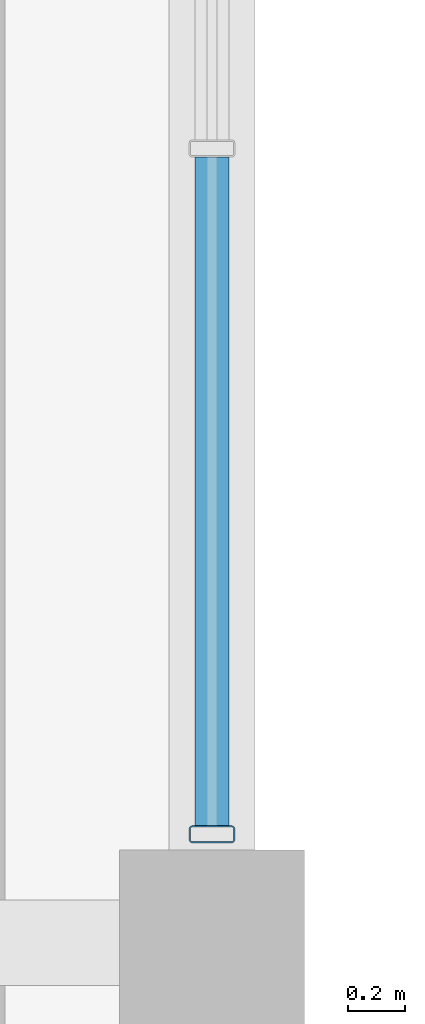
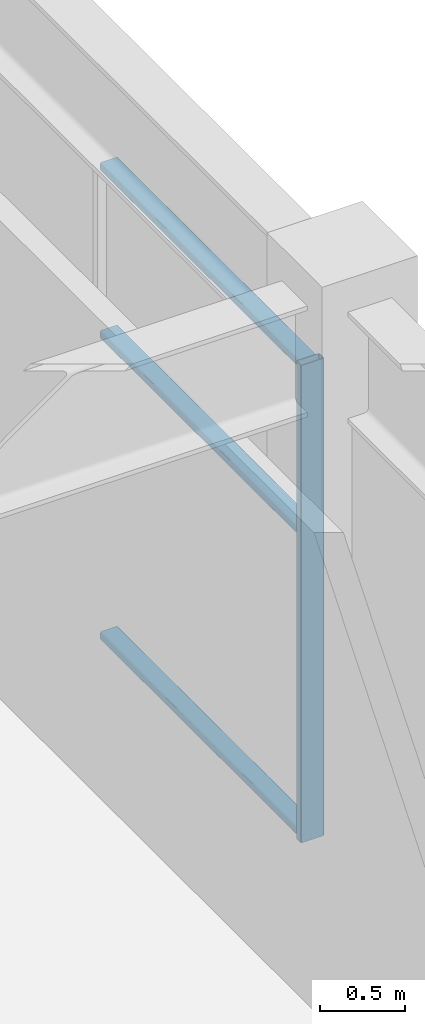
# One storey, part 11 of 46: 4 members, 1 element without a shape of its own.
"""IFC4 building model written with IfcOpenShell, lengths in metres."""

from ifc_helpers import new_model, si_unit, direction, frame, origin, origin_2d, place, context, subcontext, project, spatial, hollow_rectangle, extrude, material, layer, layer_set, material_profile, profile_set, type_object, element, aggregate, save


model = new_model("IFC4")

# Units and contexts
model_context = context("Model", 3, precision=1e-05, world=origin(), true_north=direction((0.0, 1.0)))
body_context = subcontext(model_context, "Body", "Model", "MODEL_VIEW")
ifc_project = project(units=[si_unit("LENGTHUNIT", "METRE"), si_unit("AREAUNIT", "SQUARE_METRE"), si_unit("VOLUMEUNIT", "CUBIC_METRE"), si_unit("PLANEANGLEUNIT", "RADIAN"), si_unit("MASSUNIT", "GRAM", prefix="KILO")], contexts=[model_context])

# Site, building, storey
site_placement = place(None, origin())
site = spatial("IfcSite", under=ifc_project, at=site_placement, CompositionType="ELEMENT")
building_placement = place(site_placement, origin())
building = spatial("IfcBuilding", under=site, at=building_placement, Name="Kelanora Arch Commons", CompositionType="ELEMENT")
storey_placement = place(building_placement, frame((0.0, 0.0, 18.0)))
storey = spatial("IfcBuildingStorey", under=building, at=storey_placement, Name="L04", CompositionType="ELEMENT", Elevation=18.0)

# Curtain wall, members
ifc_material_1 = material(Name="Terracotta ceramic-fritted low-E glass and aluminium", Category="masonry")
ifc_layer = layer(ifc_material_1, 0.16796875)
ifc_layer_set = layer_set([ifc_layer], Name="Terracotta ceramic-fritted low-E glass and aluminium")
curtain_wall_type = type_object("IfcCurtainWallType", Name="CW-SYS-07", PredefinedType="NOTDEFINED", material=ifc_layer_set)
curtain_wall_placement = place(storey_placement, origin())
curtain_wall = element("IfcCurtainWall", 1, at=curtain_wall_placement, inside=storey, type_object=curtain_wall_type, Name="Market Hall Arcade Curtain Wall L04-27", PredefinedType="NOTDEFINED")
ifc_material_2 = material(Name="Powder-coated aluminium terracotta", Category="masonry")
ifc_material_profile_1 = material_profile(ifc_material_2, hollow_rectangle(XDim=0.159912109375, YDim=0.06005859375, WallThickness=0.0048828125, InnerFilletRadius=0.0048828125, OuterFilletRadius=0.010009765625, at=origin_2d()), Name="CWM160x60")
ifc_profile_set_1 = profile_set([ifc_material_profile_1], Name="Powder-coated aluminium terracotta")
member_type_1 = type_object("IfcMemberType", Name="CWM-STD", PredefinedType="MULLION", material=ifc_profile_set_1)
member_1_placement = place(storey_placement, frame((36.0, 58.3798828125, 0.0), z_axis=(0.0, 0.0, 1.0), x_axis=(-1.0, 0.0, 0.0)))
member_1 = element("IfcMember", 2, at=member_1_placement, type_object=member_type_1, Name="CW-07 mullion 1", PredefinedType="MULLION", context=body_context, shape_type="SweptSolid", body=[
    extrude(hollow_rectangle(XDim=0.159912109375, YDim=0.06005859375, WallThickness=0.0048828125, InnerFilletRadius=0.0048828125, OuterFilletRadius=0.010009765625, at=origin_2d()), origin(), (0.0, 0.0, 1.0), 3.43994140625),
])
ifc_material_profile_2 = material_profile(ifc_material_2, hollow_rectangle(XDim=0.1201171875, YDim=0.06005859375, WallThickness=0.0048828125, InnerFilletRadius=0.0048828125, OuterFilletRadius=0.010009765625, at=origin_2d()), Name="CWT120x60")
ifc_profile_set_2 = profile_set([ifc_material_profile_2], Name="Powder-coated aluminium terracotta")
member_type_2 = type_object("IfcMemberType", Name="CWT-STD", PredefinedType="USERDEFINED", material=ifc_profile_set_2)
member_2_placement = place(storey_placement, frame((36.0, 58.409912109375, 0.030029296875), z_axis=(0.0, 1.0, 0.0), x_axis=(-1.0, 0.0, 0.0)))
member_2 = element("IfcMember", 3, at=member_2_placement, type_object=member_type_2, Name="CW-07 transom 1.1", ObjectType="TRANSOM", PredefinedType="USERDEFINED", context=body_context, shape_type="SweptSolid", body=[
    extrude(hollow_rectangle(XDim=0.1201171875, YDim=0.06005859375, WallThickness=0.0048828125, InnerFilletRadius=0.0048828125, OuterFilletRadius=0.010009765625, at=origin_2d()), origin(), (0.0, 0.0, 1.0), 2.343505859375),
])
member_3_placement = place(storey_placement, frame((36.0, 58.409912109375, 2.199951171875), z_axis=(0.0, 1.0, 0.0), x_axis=(-1.0, 0.0, 0.0)))
member_3 = element("IfcMember", 4, at=member_3_placement, type_object=member_type_2, Name="CW-07 transom 1.2", ObjectType="TRANSOM", PredefinedType="USERDEFINED", context=body_context, shape_type="SweptSolid", body=[
    extrude(hollow_rectangle(XDim=0.1201171875, YDim=0.06005859375, WallThickness=0.0048828125, InnerFilletRadius=0.0048828125, OuterFilletRadius=0.010009765625, at=origin_2d()), origin(), (0.0, 0.0, 1.0), 2.343505859375),
])
member_4_placement = place(storey_placement, frame((36.0, 58.409912109375, 3.409912109375), z_axis=(0.0, 1.0, 0.0), x_axis=(-1.0, 0.0, 0.0)))
member_4 = element("IfcMember", 5, at=member_4_placement, type_object=member_type_2, Name="CW-07 transom 1.3", ObjectType="TRANSOM", PredefinedType="USERDEFINED", context=body_context, shape_type="SweptSolid", body=[
    extrude(hollow_rectangle(XDim=0.1201171875, YDim=0.06005859375, WallThickness=0.0048828125, InnerFilletRadius=0.0048828125, OuterFilletRadius=0.010009765625, at=origin_2d()), origin(), (0.0, 0.0, 1.0), 2.343505859375),
])
aggregate(curtain_wall, [member_1, member_2, member_3, member_4])

save(model, "model.ifc")
